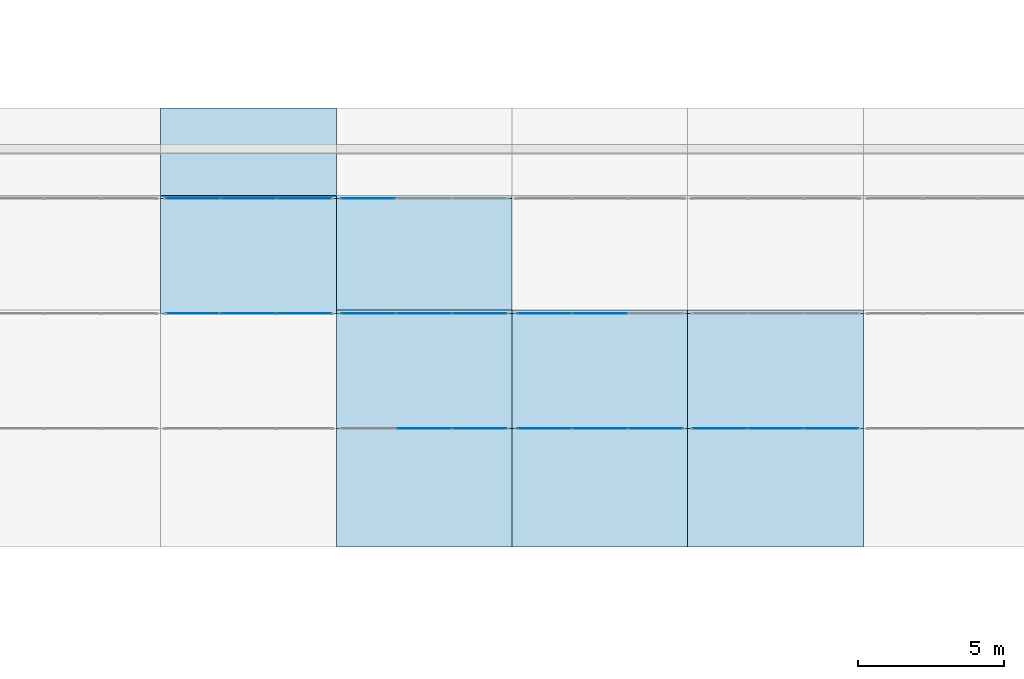
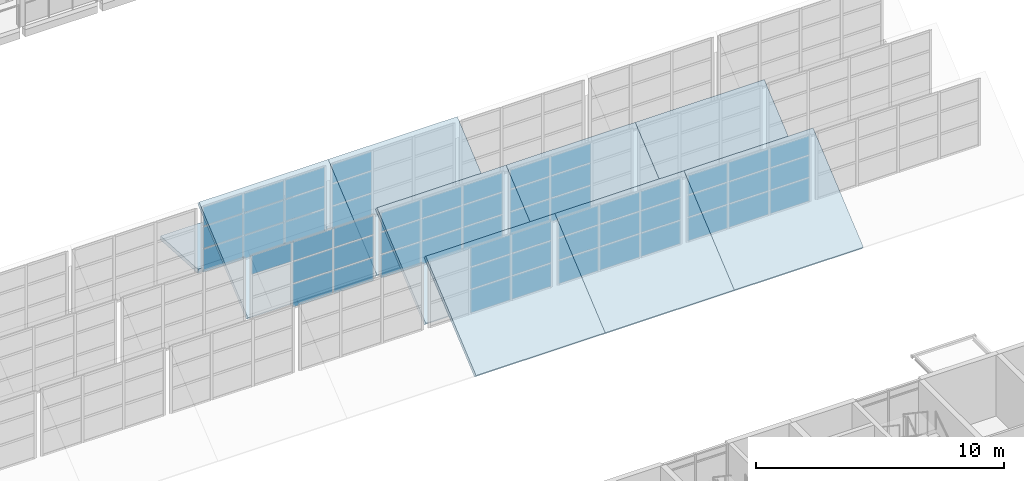
# One storey, part 49 of 122: 58 plates, 9 slabs, 8 elements without a shape of their own.
"""IFC4 building model written with IfcOpenShell, lengths in metres."""

from ifc_helpers import new_model, si_unit, direction, frame, origin, origin_2d, place, context, subcontext, project, spatial, polyline, rectangle, outline, extrude, material, layer, layer_set, type_object, element, aggregate, save


model = new_model("IFC4")

# Units and contexts
model_context = context("Model", 3, precision=1e-05, world=origin(), true_north=direction((0.0, 1.0)))
body_context = subcontext(model_context, "Body", "Model", "MODEL_VIEW")
ifc_project = project(units=[si_unit("LENGTHUNIT", "METRE"), si_unit("AREAUNIT", "SQUARE_METRE"), si_unit("VOLUMEUNIT", "CUBIC_METRE"), si_unit("PLANEANGLEUNIT", "RADIAN"), si_unit("MASSUNIT", "GRAM", prefix="KILO")], contexts=[model_context])

# Site, building, storey
site_placement = place(None, origin())
site = spatial("IfcSite", under=ifc_project, at=site_placement, CompositionType="ELEMENT")
building_placement = place(site_placement, origin())
building = spatial("IfcBuilding", under=site, at=building_placement, Name="Ridgestep Commons", CompositionType="ELEMENT")
storey_placement = place(building_placement, frame((0.0, 0.0, 3.0)))
storey = spatial("IfcBuildingStorey", under=building, at=storey_placement, Name="L01", CompositionType="ELEMENT", Elevation=3.0)

# Curtain wall, plates
ifc_material_1 = material(Name="Aluminium and glass", Category="aluminium")
ifc_layer_1 = layer(ifc_material_1, 0.14990234375)
ifc_layer_set_1 = layer_set([ifc_layer_1], Name="Shop clerestory curtain wall")
curtain_wall_type = type_object("IfcCurtainWallType", Name="Shop clerestory curtain wall", PredefinedType="NOTDEFINED", material=ifc_layer_set_1)
curtain_wall_1_placement = place(storey_placement, origin())
curtain_wall_1 = element("IfcCurtainWall", 1, at=curtain_wall_1_placement, inside=storey, type_object=curtain_wall_type, Name="Shop clerestory curtain wall", PredefinedType="NOTDEFINED")
ifc_material_2 = material(Name="Glass", Category="glass")
ifc_layer_2 = layer(ifc_material_2, 0.011962890625)
ifc_layer_set_2 = layer_set([ifc_layer_2], Name="Community glass panel 12")
plate_type = type_object("IfcPlateType", Name="Community glass panel 12", PredefinedType="CURTAIN_PANEL", material=ifc_layer_set_2)
plate_1_placement = place(storey_placement, frame((200.895751953125, 41.97509765625, 3.52490234375), z_axis=(0.0, 0.0, 1.0), x_axis=(1.0, 0.0, 0.0)))
plate_1 = element("IfcPlate", 2, at=plate_1_placement, type_object=plate_type, Name="CW5 panel 1.3", PredefinedType="CURTAIN_PANEL", context=body_context, shape_type="SweptSolid", body=[
    extrude(rectangle(XDim=1.841552734375, YDim=0.011962890625, at=origin_2d()), origin(), (0.0, 0.0, 1.0), 0.925048828125),
])
plate_2_placement = place(storey_placement, frame((202.800048828125, 41.97509765625, 1.25), z_axis=(0.0, 0.0, 1.0), x_axis=(1.0, 0.0, 0.0)))
plate_2 = element("IfcPlate", 3, at=plate_2_placement, type_object=plate_type, Name="CW5 panel 2.1", PredefinedType="CURTAIN_PANEL", context=body_context, shape_type="SweptSolid", body=[
    extrude(rectangle(XDim=1.86669921875, YDim=0.011962890625, at=origin_2d()), origin(), (0.0, 0.0, 1.0), 1.125),
])
plate_3_placement = place(storey_placement, frame((202.800048828125, 41.97509765625, 2.4248046875), z_axis=(0.0, 0.0, 1.0), x_axis=(1.0, 0.0, 0.0)))
plate_3 = element("IfcPlate", 4, at=plate_3_placement, type_object=plate_type, Name="CW5 panel 2.2", PredefinedType="CURTAIN_PANEL", context=body_context, shape_type="SweptSolid", body=[
    extrude(rectangle(XDim=1.86669921875, YDim=0.011962890625, at=origin_2d()), origin(), (0.0, 0.0, 1.0), 1.050048828125),
])
plate_4_placement = place(storey_placement, frame((202.800048828125, 41.97509765625, 3.52490234375), z_axis=(0.0, 0.0, 1.0), x_axis=(1.0, 0.0, 0.0)))
plate_4 = element("IfcPlate", 5, at=plate_4_placement, type_object=plate_type, Name="CW5 panel 2.3", PredefinedType="CURTAIN_PANEL", context=body_context, shape_type="SweptSolid", body=[
    extrude(rectangle(XDim=1.86669921875, YDim=0.011962890625, at=origin_2d()), origin(), (0.0, 0.0, 1.0), 0.925048828125),
])
plate_5_placement = place(storey_placement, frame((204.7041015625, 41.97509765625, 1.25), z_axis=(0.0, 0.0, 1.0), x_axis=(1.0, 0.0, 0.0)))
plate_5 = element("IfcPlate", 6, at=plate_5_placement, type_object=plate_type, Name="CW5 panel 3.1", PredefinedType="CURTAIN_PANEL", context=body_context, shape_type="SweptSolid", body=[
    extrude(rectangle(XDim=1.841552734375, YDim=0.011962890625, at=origin_2d()), origin(), (0.0, 0.0, 1.0), 1.125),
])
plate_6_placement = place(storey_placement, frame((204.7041015625, 41.97509765625, 2.4248046875), z_axis=(0.0, 0.0, 1.0), x_axis=(1.0, 0.0, 0.0)))
plate_6 = element("IfcPlate", 7, at=plate_6_placement, type_object=plate_type, Name="CW5 panel 3.2", PredefinedType="CURTAIN_PANEL", context=body_context, shape_type="SweptSolid", body=[
    extrude(rectangle(XDim=1.841552734375, YDim=0.011962890625, at=origin_2d()), origin(), (0.0, 0.0, 1.0), 1.050048828125),
])
plate_7_placement = place(storey_placement, frame((204.7041015625, 41.97509765625, 3.52490234375), z_axis=(0.0, 0.0, 1.0), x_axis=(1.0, 0.0, 0.0)))
plate_7 = element("IfcPlate", 8, at=plate_7_placement, type_object=plate_type, Name="CW5 panel 3.3", PredefinedType="CURTAIN_PANEL", context=body_context, shape_type="SweptSolid", body=[
    extrude(rectangle(XDim=1.841552734375, YDim=0.011962890625, at=origin_2d()), origin(), (0.0, 0.0, 1.0), 0.925048828125),
])
aggregate(curtain_wall_1, [plate_1, plate_2, plate_3, plate_4, plate_5, plate_6, plate_7])

curtain_wall_2_placement = place(storey_placement, origin())
curtain_wall_2 = element("IfcCurtainWall", 9, at=curtain_wall_2_placement, inside=storey, type_object=curtain_wall_type, Name="Shop clerestory curtain wall", PredefinedType="NOTDEFINED")
plate_8_placement = place(storey_placement, frame((200.895751953125, 45.89990234375, 1.25), z_axis=(0.0, 0.0, 1.0), x_axis=(1.0, 0.0, 0.0)))
plate_8 = element("IfcPlate", 10, at=plate_8_placement, type_object=plate_type, Name="CW5 panel 1.1", PredefinedType="CURTAIN_PANEL", context=body_context, shape_type="SweptSolid", body=[
    extrude(rectangle(XDim=1.841552734375, YDim=0.011962890625, at=origin_2d()), origin(), (0.0, 0.0, 1.0), 1.125),
])
plate_9_placement = place(storey_placement, frame((200.895751953125, 45.89990234375, 2.4248046875), z_axis=(0.0, 0.0, 1.0), x_axis=(1.0, 0.0, 0.0)))
plate_9 = element("IfcPlate", 11, at=plate_9_placement, type_object=plate_type, Name="CW5 panel 1.2", PredefinedType="CURTAIN_PANEL", context=body_context, shape_type="SweptSolid", body=[
    extrude(rectangle(XDim=1.841552734375, YDim=0.011962890625, at=origin_2d()), origin(), (0.0, 0.0, 1.0), 1.050048828125),
])
plate_10_placement = place(storey_placement, frame((200.895751953125, 45.89990234375, 3.52490234375), z_axis=(0.0, 0.0, 1.0), x_axis=(1.0, 0.0, 0.0)))
plate_10 = element("IfcPlate", 12, at=plate_10_placement, type_object=plate_type, Name="CW5 panel 1.3", PredefinedType="CURTAIN_PANEL", context=body_context, shape_type="SweptSolid", body=[
    extrude(rectangle(XDim=1.841552734375, YDim=0.011962890625, at=origin_2d()), origin(), (0.0, 0.0, 1.0), 0.925048828125),
])
plate_11_placement = place(storey_placement, frame((202.800048828125, 45.89990234375, 1.25), z_axis=(0.0, 0.0, 1.0), x_axis=(1.0, 0.0, 0.0)))
plate_11 = element("IfcPlate", 13, at=plate_11_placement, type_object=plate_type, Name="CW5 panel 2.1", PredefinedType="CURTAIN_PANEL", context=body_context, shape_type="SweptSolid", body=[
    extrude(rectangle(XDim=1.86669921875, YDim=0.011962890625, at=origin_2d()), origin(), (0.0, 0.0, 1.0), 1.125),
])
plate_12_placement = place(storey_placement, frame((202.800048828125, 45.89990234375, 2.4248046875), z_axis=(0.0, 0.0, 1.0), x_axis=(1.0, 0.0, 0.0)))
plate_12 = element("IfcPlate", 14, at=plate_12_placement, type_object=plate_type, Name="CW5 panel 2.2", PredefinedType="CURTAIN_PANEL", context=body_context, shape_type="SweptSolid", body=[
    extrude(rectangle(XDim=1.86669921875, YDim=0.011962890625, at=origin_2d()), origin(), (0.0, 0.0, 1.0), 1.050048828125),
])
plate_13_placement = place(storey_placement, frame((202.800048828125, 45.89990234375, 3.52490234375), z_axis=(0.0, 0.0, 1.0), x_axis=(1.0, 0.0, 0.0)))
plate_13 = element("IfcPlate", 15, at=plate_13_placement, type_object=plate_type, Name="CW5 panel 2.3", PredefinedType="CURTAIN_PANEL", context=body_context, shape_type="SweptSolid", body=[
    extrude(rectangle(XDim=1.86669921875, YDim=0.011962890625, at=origin_2d()), origin(), (0.0, 0.0, 1.0), 0.925048828125),
])
plate_14_placement = place(storey_placement, frame((204.7041015625, 45.89990234375, 1.25), z_axis=(0.0, 0.0, 1.0), x_axis=(1.0, 0.0, 0.0)))
plate_14 = element("IfcPlate", 16, at=plate_14_placement, type_object=plate_type, Name="CW5 panel 3.1", PredefinedType="CURTAIN_PANEL", context=body_context, shape_type="SweptSolid", body=[
    extrude(rectangle(XDim=1.841552734375, YDim=0.011962890625, at=origin_2d()), origin(), (0.0, 0.0, 1.0), 1.125),
])
plate_15_placement = place(storey_placement, frame((204.7041015625, 45.89990234375, 2.4248046875), z_axis=(0.0, 0.0, 1.0), x_axis=(1.0, 0.0, 0.0)))
plate_15 = element("IfcPlate", 17, at=plate_15_placement, type_object=plate_type, Name="CW5 panel 3.2", PredefinedType="CURTAIN_PANEL", context=body_context, shape_type="SweptSolid", body=[
    extrude(rectangle(XDim=1.841552734375, YDim=0.011962890625, at=origin_2d()), origin(), (0.0, 0.0, 1.0), 1.050048828125),
])
plate_16_placement = place(storey_placement, frame((204.7041015625, 45.89990234375, 3.52490234375), z_axis=(0.0, 0.0, 1.0), x_axis=(1.0, 0.0, 0.0)))
plate_16 = element("IfcPlate", 18, at=plate_16_placement, type_object=plate_type, Name="CW5 panel 3.3", PredefinedType="CURTAIN_PANEL", context=body_context, shape_type="SweptSolid", body=[
    extrude(rectangle(XDim=1.841552734375, YDim=0.011962890625, at=origin_2d()), origin(), (0.0, 0.0, 1.0), 0.925048828125),
])
aggregate(curtain_wall_2, [plate_8, plate_9, plate_10, plate_11, plate_12, plate_13, plate_14, plate_15, plate_16])

curtain_wall_3_placement = place(storey_placement, origin())
curtain_wall_3 = element("IfcCurtainWall", 19, at=curtain_wall_3_placement, inside=storey, type_object=curtain_wall_type, Name="Shop clerestory curtain wall", PredefinedType="NOTDEFINED")
plate_17_placement = place(storey_placement, frame((208.800048828125, 38.050048828125, 1.25), z_axis=(0.0, 0.0, 1.0), x_axis=(1.0, 0.0, 0.0)))
plate_17 = element("IfcPlate", 20, at=plate_17_placement, type_object=plate_type, Name="CW5 panel 2.1", PredefinedType="CURTAIN_PANEL", context=body_context, shape_type="SweptSolid", body=[
    extrude(rectangle(XDim=1.86669921875, YDim=0.011962890625, at=origin_2d()), origin(), (0.0, 0.0, 1.0), 1.125),
])
plate_18_placement = place(storey_placement, frame((208.800048828125, 38.050048828125, 2.4248046875), z_axis=(0.0, 0.0, 1.0), x_axis=(1.0, 0.0, 0.0)))
plate_18 = element("IfcPlate", 21, at=plate_18_placement, type_object=plate_type, Name="CW5 panel 2.2", PredefinedType="CURTAIN_PANEL", context=body_context, shape_type="SweptSolid", body=[
    extrude(rectangle(XDim=1.86669921875, YDim=0.011962890625, at=origin_2d()), origin(), (0.0, 0.0, 1.0), 1.050048828125),
])
plate_19_placement = place(storey_placement, frame((208.800048828125, 38.050048828125, 3.52490234375), z_axis=(0.0, 0.0, 1.0), x_axis=(1.0, 0.0, 0.0)))
plate_19 = element("IfcPlate", 22, at=plate_19_placement, type_object=plate_type, Name="CW5 panel 2.3", PredefinedType="CURTAIN_PANEL", context=body_context, shape_type="SweptSolid", body=[
    extrude(rectangle(XDim=1.86669921875, YDim=0.011962890625, at=origin_2d()), origin(), (0.0, 0.0, 1.0), 0.925048828125),
])
plate_20_placement = place(storey_placement, frame((210.7041015625, 38.050048828125, 1.25), z_axis=(0.0, 0.0, 1.0), x_axis=(1.0, 0.0, 0.0)))
plate_20 = element("IfcPlate", 23, at=plate_20_placement, type_object=plate_type, Name="CW5 panel 3.1", PredefinedType="CURTAIN_PANEL", context=body_context, shape_type="SweptSolid", body=[
    extrude(rectangle(XDim=1.841552734375, YDim=0.011962890625, at=origin_2d()), origin(), (0.0, 0.0, 1.0), 1.125),
])
plate_21_placement = place(storey_placement, frame((210.7041015625, 38.050048828125, 2.4248046875), z_axis=(0.0, 0.0, 1.0), x_axis=(1.0, 0.0, 0.0)))
plate_21 = element("IfcPlate", 24, at=plate_21_placement, type_object=plate_type, Name="CW5 panel 3.2", PredefinedType="CURTAIN_PANEL", context=body_context, shape_type="SweptSolid", body=[
    extrude(rectangle(XDim=1.841552734375, YDim=0.011962890625, at=origin_2d()), origin(), (0.0, 0.0, 1.0), 1.050048828125),
])
plate_22_placement = place(storey_placement, frame((210.7041015625, 38.050048828125, 3.52490234375), z_axis=(0.0, 0.0, 1.0), x_axis=(1.0, 0.0, 0.0)))
plate_22 = element("IfcPlate", 25, at=plate_22_placement, type_object=plate_type, Name="CW5 panel 3.3", PredefinedType="CURTAIN_PANEL", context=body_context, shape_type="SweptSolid", body=[
    extrude(rectangle(XDim=1.841552734375, YDim=0.011962890625, at=origin_2d()), origin(), (0.0, 0.0, 1.0), 0.925048828125),
])
aggregate(curtain_wall_3, [plate_17, plate_18, plate_19, plate_20, plate_21, plate_22])

curtain_wall_4_placement = place(storey_placement, origin())
curtain_wall_4 = element("IfcCurtainWall", 26, at=curtain_wall_4_placement, inside=storey, type_object=curtain_wall_type, Name="Shop clerestory curtain wall", PredefinedType="NOTDEFINED")
plate_23_placement = place(storey_placement, frame((206.895751953125, 41.97509765625, 1.25), z_axis=(0.0, 0.0, 1.0), x_axis=(1.0, 0.0, 0.0)))
plate_23 = element("IfcPlate", 27, at=plate_23_placement, type_object=plate_type, Name="CW5 panel 1.1", PredefinedType="CURTAIN_PANEL", context=body_context, shape_type="SweptSolid", body=[
    extrude(rectangle(XDim=1.841552734375, YDim=0.011962890625, at=origin_2d()), origin(), (0.0, 0.0, 1.0), 1.125),
])
plate_24_placement = place(storey_placement, frame((206.895751953125, 41.97509765625, 2.4248046875), z_axis=(0.0, 0.0, 1.0), x_axis=(1.0, 0.0, 0.0)))
plate_24 = element("IfcPlate", 28, at=plate_24_placement, type_object=plate_type, Name="CW5 panel 1.2", PredefinedType="CURTAIN_PANEL", context=body_context, shape_type="SweptSolid", body=[
    extrude(rectangle(XDim=1.841552734375, YDim=0.011962890625, at=origin_2d()), origin(), (0.0, 0.0, 1.0), 1.050048828125),
])
plate_25_placement = place(storey_placement, frame((206.895751953125, 41.97509765625, 3.52490234375), z_axis=(0.0, 0.0, 1.0), x_axis=(1.0, 0.0, 0.0)))
plate_25 = element("IfcPlate", 29, at=plate_25_placement, type_object=plate_type, Name="CW5 panel 1.3", PredefinedType="CURTAIN_PANEL", context=body_context, shape_type="SweptSolid", body=[
    extrude(rectangle(XDim=1.841552734375, YDim=0.011962890625, at=origin_2d()), origin(), (0.0, 0.0, 1.0), 0.925048828125),
])
plate_26_placement = place(storey_placement, frame((208.800048828125, 41.97509765625, 1.25), z_axis=(0.0, 0.0, 1.0), x_axis=(1.0, 0.0, 0.0)))
plate_26 = element("IfcPlate", 30, at=plate_26_placement, type_object=plate_type, Name="CW5 panel 2.1", PredefinedType="CURTAIN_PANEL", context=body_context, shape_type="SweptSolid", body=[
    extrude(rectangle(XDim=1.86669921875, YDim=0.011962890625, at=origin_2d()), origin(), (0.0, 0.0, 1.0), 1.125),
])
plate_27_placement = place(storey_placement, frame((208.800048828125, 41.97509765625, 2.4248046875), z_axis=(0.0, 0.0, 1.0), x_axis=(1.0, 0.0, 0.0)))
plate_27 = element("IfcPlate", 31, at=plate_27_placement, type_object=plate_type, Name="CW5 panel 2.2", PredefinedType="CURTAIN_PANEL", context=body_context, shape_type="SweptSolid", body=[
    extrude(rectangle(XDim=1.86669921875, YDim=0.011962890625, at=origin_2d()), origin(), (0.0, 0.0, 1.0), 1.050048828125),
])
plate_28_placement = place(storey_placement, frame((208.800048828125, 41.97509765625, 3.52490234375), z_axis=(0.0, 0.0, 1.0), x_axis=(1.0, 0.0, 0.0)))
plate_28 = element("IfcPlate", 32, at=plate_28_placement, type_object=plate_type, Name="CW5 panel 2.3", PredefinedType="CURTAIN_PANEL", context=body_context, shape_type="SweptSolid", body=[
    extrude(rectangle(XDim=1.86669921875, YDim=0.011962890625, at=origin_2d()), origin(), (0.0, 0.0, 1.0), 0.925048828125),
])
plate_29_placement = place(storey_placement, frame((210.7041015625, 41.97509765625, 1.25), z_axis=(0.0, 0.0, 1.0), x_axis=(1.0, 0.0, 0.0)))
plate_29 = element("IfcPlate", 33, at=plate_29_placement, type_object=plate_type, Name="CW5 panel 3.1", PredefinedType="CURTAIN_PANEL", context=body_context, shape_type="SweptSolid", body=[
    extrude(rectangle(XDim=1.841552734375, YDim=0.011962890625, at=origin_2d()), origin(), (0.0, 0.0, 1.0), 1.125),
])
plate_30_placement = place(storey_placement, frame((210.7041015625, 41.97509765625, 2.4248046875), z_axis=(0.0, 0.0, 1.0), x_axis=(1.0, 0.0, 0.0)))
plate_30 = element("IfcPlate", 34, at=plate_30_placement, type_object=plate_type, Name="CW5 panel 3.2", PredefinedType="CURTAIN_PANEL", context=body_context, shape_type="SweptSolid", body=[
    extrude(rectangle(XDim=1.841552734375, YDim=0.011962890625, at=origin_2d()), origin(), (0.0, 0.0, 1.0), 1.050048828125),
])
plate_31_placement = place(storey_placement, frame((210.7041015625, 41.97509765625, 3.52490234375), z_axis=(0.0, 0.0, 1.0), x_axis=(1.0, 0.0, 0.0)))
plate_31 = element("IfcPlate", 35, at=plate_31_placement, type_object=plate_type, Name="CW5 panel 3.3", PredefinedType="CURTAIN_PANEL", context=body_context, shape_type="SweptSolid", body=[
    extrude(rectangle(XDim=1.841552734375, YDim=0.011962890625, at=origin_2d()), origin(), (0.0, 0.0, 1.0), 0.925048828125),
])
aggregate(curtain_wall_4, [plate_23, plate_24, plate_25, plate_26, plate_27, plate_28, plate_29, plate_30, plate_31])

curtain_wall_5_placement = place(storey_placement, origin())
curtain_wall_5 = element("IfcCurtainWall", 36, at=curtain_wall_5_placement, inside=storey, type_object=curtain_wall_type, Name="Shop clerestory curtain wall", PredefinedType="NOTDEFINED")
plate_32_placement = place(storey_placement, frame((206.895751953125, 45.89990234375, 1.25), z_axis=(0.0, 0.0, 1.0), x_axis=(1.0, 0.0, 0.0)))
plate_32 = element("IfcPlate", 37, at=plate_32_placement, type_object=plate_type, Name="CW5 panel 1.1", PredefinedType="CURTAIN_PANEL", context=body_context, shape_type="SweptSolid", body=[
    extrude(rectangle(XDim=1.841552734375, YDim=0.011962890625, at=origin_2d()), origin(), (0.0, 0.0, 1.0), 1.125),
])
plate_33_placement = place(storey_placement, frame((206.895751953125, 45.89990234375, 2.4248046875), z_axis=(0.0, 0.0, 1.0), x_axis=(1.0, 0.0, 0.0)))
plate_33 = element("IfcPlate", 38, at=plate_33_placement, type_object=plate_type, Name="CW5 panel 1.2", PredefinedType="CURTAIN_PANEL", context=body_context, shape_type="SweptSolid", body=[
    extrude(rectangle(XDim=1.841552734375, YDim=0.011962890625, at=origin_2d()), origin(), (0.0, 0.0, 1.0), 1.050048828125),
])
plate_34_placement = place(storey_placement, frame((206.895751953125, 45.89990234375, 3.52490234375), z_axis=(0.0, 0.0, 1.0), x_axis=(1.0, 0.0, 0.0)))
plate_34 = element("IfcPlate", 39, at=plate_34_placement, type_object=plate_type, Name="CW5 panel 1.3", PredefinedType="CURTAIN_PANEL", context=body_context, shape_type="SweptSolid", body=[
    extrude(rectangle(XDim=1.841552734375, YDim=0.011962890625, at=origin_2d()), origin(), (0.0, 0.0, 1.0), 0.925048828125),
])
aggregate(curtain_wall_5, [plate_32, plate_33, plate_34])

curtain_wall_6_placement = place(storey_placement, origin())
curtain_wall_6 = element("IfcCurtainWall", 40, at=curtain_wall_6_placement, inside=storey, type_object=curtain_wall_type, Name="Shop clerestory curtain wall", PredefinedType="NOTDEFINED")
plate_35_placement = place(storey_placement, frame((212.895751953125, 38.050048828125, 1.25), z_axis=(0.0, 0.0, 1.0), x_axis=(1.0, 0.0, 0.0)))
plate_35 = element("IfcPlate", 41, at=plate_35_placement, type_object=plate_type, Name="CW5 panel 1.1", PredefinedType="CURTAIN_PANEL", context=body_context, shape_type="SweptSolid", body=[
    extrude(rectangle(XDim=1.841552734375, YDim=0.011962890625, at=origin_2d()), origin(), (0.0, 0.0, 1.0), 1.125),
])
plate_36_placement = place(storey_placement, frame((212.895751953125, 38.050048828125, 2.4248046875), z_axis=(0.0, 0.0, 1.0), x_axis=(1.0, 0.0, 0.0)))
plate_36 = element("IfcPlate", 42, at=plate_36_placement, type_object=plate_type, Name="CW5 panel 1.2", PredefinedType="CURTAIN_PANEL", context=body_context, shape_type="SweptSolid", body=[
    extrude(rectangle(XDim=1.841552734375, YDim=0.011962890625, at=origin_2d()), origin(), (0.0, 0.0, 1.0), 1.050048828125),
])
plate_37_placement = place(storey_placement, frame((212.895751953125, 38.050048828125, 3.52490234375), z_axis=(0.0, 0.0, 1.0), x_axis=(1.0, 0.0, 0.0)))
plate_37 = element("IfcPlate", 43, at=plate_37_placement, type_object=plate_type, Name="CW5 panel 1.3", PredefinedType="CURTAIN_PANEL", context=body_context, shape_type="SweptSolid", body=[
    extrude(rectangle(XDim=1.841552734375, YDim=0.011962890625, at=origin_2d()), origin(), (0.0, 0.0, 1.0), 0.925048828125),
])
plate_38_placement = place(storey_placement, frame((214.800048828125, 38.050048828125, 1.25), z_axis=(0.0, 0.0, 1.0), x_axis=(1.0, 0.0, 0.0)))
plate_38 = element("IfcPlate", 44, at=plate_38_placement, type_object=plate_type, Name="CW5 panel 2.1", PredefinedType="CURTAIN_PANEL", context=body_context, shape_type="SweptSolid", body=[
    extrude(rectangle(XDim=1.86669921875, YDim=0.011962890625, at=origin_2d()), origin(), (0.0, 0.0, 1.0), 1.125),
])
plate_39_placement = place(storey_placement, frame((214.800048828125, 38.050048828125, 2.4248046875), z_axis=(0.0, 0.0, 1.0), x_axis=(1.0, 0.0, 0.0)))
plate_39 = element("IfcPlate", 45, at=plate_39_placement, type_object=plate_type, Name="CW5 panel 2.2", PredefinedType="CURTAIN_PANEL", context=body_context, shape_type="SweptSolid", body=[
    extrude(rectangle(XDim=1.86669921875, YDim=0.011962890625, at=origin_2d()), origin(), (0.0, 0.0, 1.0), 1.050048828125),
])
plate_40_placement = place(storey_placement, frame((214.800048828125, 38.050048828125, 3.52490234375), z_axis=(0.0, 0.0, 1.0), x_axis=(1.0, 0.0, 0.0)))
plate_40 = element("IfcPlate", 46, at=plate_40_placement, type_object=plate_type, Name="CW5 panel 2.3", PredefinedType="CURTAIN_PANEL", context=body_context, shape_type="SweptSolid", body=[
    extrude(rectangle(XDim=1.86669921875, YDim=0.011962890625, at=origin_2d()), origin(), (0.0, 0.0, 1.0), 0.925048828125),
])
plate_41_placement = place(storey_placement, frame((216.7041015625, 38.050048828125, 1.25), z_axis=(0.0, 0.0, 1.0), x_axis=(1.0, 0.0, 0.0)))
plate_41 = element("IfcPlate", 47, at=plate_41_placement, type_object=plate_type, Name="CW5 panel 3.1", PredefinedType="CURTAIN_PANEL", context=body_context, shape_type="SweptSolid", body=[
    extrude(rectangle(XDim=1.841552734375, YDim=0.011962890625, at=origin_2d()), origin(), (0.0, 0.0, 1.0), 1.125),
])
plate_42_placement = place(storey_placement, frame((216.7041015625, 38.050048828125, 2.4248046875), z_axis=(0.0, 0.0, 1.0), x_axis=(1.0, 0.0, 0.0)))
plate_42 = element("IfcPlate", 48, at=plate_42_placement, type_object=plate_type, Name="CW5 panel 3.2", PredefinedType="CURTAIN_PANEL", context=body_context, shape_type="SweptSolid", body=[
    extrude(rectangle(XDim=1.841552734375, YDim=0.011962890625, at=origin_2d()), origin(), (0.0, 0.0, 1.0), 1.050048828125),
])
plate_43_placement = place(storey_placement, frame((216.7041015625, 38.050048828125, 3.52490234375), z_axis=(0.0, 0.0, 1.0), x_axis=(1.0, 0.0, 0.0)))
plate_43 = element("IfcPlate", 49, at=plate_43_placement, type_object=plate_type, Name="CW5 panel 3.3", PredefinedType="CURTAIN_PANEL", context=body_context, shape_type="SweptSolid", body=[
    extrude(rectangle(XDim=1.841552734375, YDim=0.011962890625, at=origin_2d()), origin(), (0.0, 0.0, 1.0), 0.925048828125),
])
aggregate(curtain_wall_6, [plate_35, plate_36, plate_37, plate_38, plate_39, plate_40, plate_41, plate_42, plate_43])

curtain_wall_7_placement = place(storey_placement, origin())
curtain_wall_7 = element("IfcCurtainWall", 50, at=curtain_wall_7_placement, inside=storey, type_object=curtain_wall_type, Name="Shop clerestory curtain wall", PredefinedType="NOTDEFINED")
plate_44_placement = place(storey_placement, frame((212.895751953125, 41.97509765625, 1.25), z_axis=(0.0, 0.0, 1.0), x_axis=(1.0, 0.0, 0.0)))
plate_44 = element("IfcPlate", 51, at=plate_44_placement, type_object=plate_type, Name="CW5 panel 1.1", PredefinedType="CURTAIN_PANEL", context=body_context, shape_type="SweptSolid", body=[
    extrude(rectangle(XDim=1.841552734375, YDim=0.011962890625, at=origin_2d()), origin(), (0.0, 0.0, 1.0), 1.125),
])
plate_45_placement = place(storey_placement, frame((212.895751953125, 41.97509765625, 2.4248046875), z_axis=(0.0, 0.0, 1.0), x_axis=(1.0, 0.0, 0.0)))
plate_45 = element("IfcPlate", 52, at=plate_45_placement, type_object=plate_type, Name="CW5 panel 1.2", PredefinedType="CURTAIN_PANEL", context=body_context, shape_type="SweptSolid", body=[
    extrude(rectangle(XDim=1.841552734375, YDim=0.011962890625, at=origin_2d()), origin(), (0.0, 0.0, 1.0), 1.050048828125),
])
plate_46_placement = place(storey_placement, frame((212.895751953125, 41.97509765625, 3.52490234375), z_axis=(0.0, 0.0, 1.0), x_axis=(1.0, 0.0, 0.0)))
plate_46 = element("IfcPlate", 53, at=plate_46_placement, type_object=plate_type, Name="CW5 panel 1.3", PredefinedType="CURTAIN_PANEL", context=body_context, shape_type="SweptSolid", body=[
    extrude(rectangle(XDim=1.841552734375, YDim=0.011962890625, at=origin_2d()), origin(), (0.0, 0.0, 1.0), 0.925048828125),
])
plate_47_placement = place(storey_placement, frame((214.800048828125, 41.97509765625, 1.25), z_axis=(0.0, 0.0, 1.0), x_axis=(1.0, 0.0, 0.0)))
plate_47 = element("IfcPlate", 54, at=plate_47_placement, type_object=plate_type, Name="CW5 panel 2.1", PredefinedType="CURTAIN_PANEL", context=body_context, shape_type="SweptSolid", body=[
    extrude(rectangle(XDim=1.86669921875, YDim=0.011962890625, at=origin_2d()), origin(), (0.0, 0.0, 1.0), 1.125),
])
plate_48_placement = place(storey_placement, frame((214.800048828125, 41.97509765625, 2.4248046875), z_axis=(0.0, 0.0, 1.0), x_axis=(1.0, 0.0, 0.0)))
plate_48 = element("IfcPlate", 55, at=plate_48_placement, type_object=plate_type, Name="CW5 panel 2.2", PredefinedType="CURTAIN_PANEL", context=body_context, shape_type="SweptSolid", body=[
    extrude(rectangle(XDim=1.86669921875, YDim=0.011962890625, at=origin_2d()), origin(), (0.0, 0.0, 1.0), 1.050048828125),
])
plate_49_placement = place(storey_placement, frame((214.800048828125, 41.97509765625, 3.52490234375), z_axis=(0.0, 0.0, 1.0), x_axis=(1.0, 0.0, 0.0)))
plate_49 = element("IfcPlate", 56, at=plate_49_placement, type_object=plate_type, Name="CW5 panel 2.3", PredefinedType="CURTAIN_PANEL", context=body_context, shape_type="SweptSolid", body=[
    extrude(rectangle(XDim=1.86669921875, YDim=0.011962890625, at=origin_2d()), origin(), (0.0, 0.0, 1.0), 0.925048828125),
])
aggregate(curtain_wall_7, [plate_44, plate_45, plate_46, plate_47, plate_48, plate_49])

curtain_wall_8_placement = place(storey_placement, origin())
curtain_wall_8 = element("IfcCurtainWall", 57, at=curtain_wall_8_placement, inside=storey, type_object=curtain_wall_type, Name="Shop clerestory curtain wall", PredefinedType="NOTDEFINED")
plate_50_placement = place(storey_placement, frame((218.895751953125, 38.050048828125, 1.25), z_axis=(0.0, 0.0, 1.0), x_axis=(1.0, 0.0, 0.0)))
plate_50 = element("IfcPlate", 58, at=plate_50_placement, type_object=plate_type, Name="CW5 panel 1.1", PredefinedType="CURTAIN_PANEL", context=body_context, shape_type="SweptSolid", body=[
    extrude(rectangle(XDim=1.841552734375, YDim=0.011962890625, at=origin_2d()), origin(), (0.0, 0.0, 1.0), 1.125),
])
plate_51_placement = place(storey_placement, frame((218.895751953125, 38.050048828125, 2.4248046875), z_axis=(0.0, 0.0, 1.0), x_axis=(1.0, 0.0, 0.0)))
plate_51 = element("IfcPlate", 59, at=plate_51_placement, type_object=plate_type, Name="CW5 panel 1.2", PredefinedType="CURTAIN_PANEL", context=body_context, shape_type="SweptSolid", body=[
    extrude(rectangle(XDim=1.841552734375, YDim=0.011962890625, at=origin_2d()), origin(), (0.0, 0.0, 1.0), 1.050048828125),
])
plate_52_placement = place(storey_placement, frame((218.895751953125, 38.050048828125, 3.52490234375), z_axis=(0.0, 0.0, 1.0), x_axis=(1.0, 0.0, 0.0)))
plate_52 = element("IfcPlate", 60, at=plate_52_placement, type_object=plate_type, Name="CW5 panel 1.3", PredefinedType="CURTAIN_PANEL", context=body_context, shape_type="SweptSolid", body=[
    extrude(rectangle(XDim=1.841552734375, YDim=0.011962890625, at=origin_2d()), origin(), (0.0, 0.0, 1.0), 0.925048828125),
])
plate_53_placement = place(storey_placement, frame((220.800048828125, 38.050048828125, 1.25), z_axis=(0.0, 0.0, 1.0), x_axis=(1.0, 0.0, 0.0)))
plate_53 = element("IfcPlate", 61, at=plate_53_placement, type_object=plate_type, Name="CW5 panel 2.1", PredefinedType="CURTAIN_PANEL", context=body_context, shape_type="SweptSolid", body=[
    extrude(rectangle(XDim=1.86669921875, YDim=0.011962890625, at=origin_2d()), origin(), (0.0, 0.0, 1.0), 1.125),
])
plate_54_placement = place(storey_placement, frame((220.800048828125, 38.050048828125, 2.4248046875), z_axis=(0.0, 0.0, 1.0), x_axis=(1.0, 0.0, 0.0)))
plate_54 = element("IfcPlate", 62, at=plate_54_placement, type_object=plate_type, Name="CW5 panel 2.2", PredefinedType="CURTAIN_PANEL", context=body_context, shape_type="SweptSolid", body=[
    extrude(rectangle(XDim=1.86669921875, YDim=0.011962890625, at=origin_2d()), origin(), (0.0, 0.0, 1.0), 1.050048828125),
])
plate_55_placement = place(storey_placement, frame((220.800048828125, 38.050048828125, 3.52490234375), z_axis=(0.0, 0.0, 1.0), x_axis=(1.0, 0.0, 0.0)))
plate_55 = element("IfcPlate", 63, at=plate_55_placement, type_object=plate_type, Name="CW5 panel 2.3", PredefinedType="CURTAIN_PANEL", context=body_context, shape_type="SweptSolid", body=[
    extrude(rectangle(XDim=1.86669921875, YDim=0.011962890625, at=origin_2d()), origin(), (0.0, 0.0, 1.0), 0.925048828125),
])
plate_56_placement = place(storey_placement, frame((222.7041015625, 38.050048828125, 1.25), z_axis=(0.0, 0.0, 1.0), x_axis=(1.0, 0.0, 0.0)))
plate_56 = element("IfcPlate", 64, at=plate_56_placement, type_object=plate_type, Name="CW5 panel 3.1", PredefinedType="CURTAIN_PANEL", context=body_context, shape_type="SweptSolid", body=[
    extrude(rectangle(XDim=1.841552734375, YDim=0.011962890625, at=origin_2d()), origin(), (0.0, 0.0, 1.0), 1.125),
])
plate_57_placement = place(storey_placement, frame((222.7041015625, 38.050048828125, 2.4248046875), z_axis=(0.0, 0.0, 1.0), x_axis=(1.0, 0.0, 0.0)))
plate_57 = element("IfcPlate", 65, at=plate_57_placement, type_object=plate_type, Name="CW5 panel 3.2", PredefinedType="CURTAIN_PANEL", context=body_context, shape_type="SweptSolid", body=[
    extrude(rectangle(XDim=1.841552734375, YDim=0.011962890625, at=origin_2d()), origin(), (0.0, 0.0, 1.0), 1.050048828125),
])
plate_58_placement = place(storey_placement, frame((222.7041015625, 38.050048828125, 3.52490234375), z_axis=(0.0, 0.0, 1.0), x_axis=(1.0, 0.0, 0.0)))
plate_58 = element("IfcPlate", 66, at=plate_58_placement, type_object=plate_type, Name="CW5 panel 3.3", PredefinedType="CURTAIN_PANEL", context=body_context, shape_type="SweptSolid", body=[
    extrude(rectangle(XDim=1.841552734375, YDim=0.011962890625, at=origin_2d()), origin(), (0.0, 0.0, 1.0), 0.925048828125),
])
aggregate(curtain_wall_8, [plate_50, plate_51, plate_52, plate_53, plate_54, plate_55, plate_56, plate_57, plate_58])

# Slabs
ifc_material_3 = material(Name="Precast concrete C50/60", Category="concrete")
ifc_layer_3 = layer(ifc_material_3, 0.199951171875)
ifc_layer_set_3 = layer_set([ifc_layer_3], Name="Shop roof plank 200")
slab_type_1 = type_object("IfcSlabType", Name="Shop roof plank 200", PredefinedType="ROOF", material=ifc_layer_set_3)
slab_1_placement = place(storey_placement, frame((199.800048828125, 46.0, 1.400390625), z_axis=(0.0, 0.059869626719, 0.998206205048), x_axis=(1.0, 0.0, 0.0)))
element("IfcSlab", 67, at=slab_1_placement, inside=storey, type_object=slab_type_1, Name="Shop arcade roof plank", PredefinedType="ROOF", context=body_context, shape_type="SweptSolid", body=[
    extrude(outline(polyline([(0.0, 0.0), (6.0, 0.0), (6.0, 3.0053910553034533), (0.0, 3.0053910553034533), (0.0, 0.0)])), origin(), (0.0, 0.0, -1.0), 0.199951171875),
])
ifc_material_4 = material(Name="Precast concrete C50/60", Category="concrete")
ifc_layer_4 = layer(ifc_material_4, 0.199951171875)
ifc_layer_set_4 = layer_set([ifc_layer_4], Name="Shop sawtooth plank 200")
slab_type_2 = type_object("IfcSlabType", Name="Shop sawtooth plank 200", PredefinedType="ROOF", material=ifc_layer_set_4)
slab_2_placement = place(storey_placement, frame((199.800048828125, 41.97509765625, 1.461181640625), z_axis=(0.0, -0.643559368289, 0.765396197722), x_axis=(1.0, 0.0, 0.0)))
element("IfcSlab", 68, at=slab_2_placement, inside=storey, type_object=slab_type_2, Name="Shop sawtooth roof plank", PredefinedType="ROOF", context=body_context, shape_type="SweptSolid", body=[
    extrude(outline(polyline([(0.0, 0.0), (6.0, 0.0), (6.0, 5.127807923765394), (0.0, 5.127807923765394), (0.0, 0.0)])), origin(), (0.0, 0.0, -1.0), 0.199951171875),
])
slab_3_placement = place(storey_placement, frame((205.800048828125, 34.0, 1.356201171875), z_axis=(0.0, -0.643523147953, 0.765426650992), x_axis=(1.0, 0.0, 0.0)))
element("IfcSlab", 69, at=slab_3_placement, inside=storey, type_object=slab_type_2, Name="Shop sawtooth roof plank", PredefinedType="ROOF", context=body_context, shape_type="SweptSolid", body=[
    extrude(outline(polyline([(0.0, 0.0), (6.0, 0.0), (6.0, 5.29123048286254), (0.0, 5.29123048286254), (0.0, 0.0)])), origin(), (0.0, 0.0, -1.0), 0.199951171875),
])
slab_4_placement = place(storey_placement, frame((205.800048828125, 38.050048828125, 1.461181640625), z_axis=(0.0, -0.643535916661, 0.765415915674), x_axis=(1.0, 0.0, 0.0)))
element("IfcSlab", 70, at=slab_4_placement, inside=storey, type_object=slab_type_2, Name="Shop sawtooth roof plank", PredefinedType="ROOF", context=body_context, shape_type="SweptSolid", body=[
    extrude(outline(polyline([(0.0, 0.0), (6.0, 0.0), (6.0, 5.1279947904785), (0.0, 5.1279947904785), (0.0, 0.0)])), origin(), (0.0, 0.0, -1.0), 0.199951171875),
])
slab_5_placement = place(storey_placement, frame((205.800048828125, 41.97509765625, 1.461181640625), z_axis=(0.0, -0.643559368289, 0.765396197722), x_axis=(1.0, 0.0, 0.0)))
element("IfcSlab", 71, at=slab_5_placement, inside=storey, type_object=slab_type_2, Name="Shop sawtooth roof plank", PredefinedType="ROOF", context=body_context, shape_type="SweptSolid", body=[
    extrude(outline(polyline([(0.0, 0.0), (6.0, 0.0), (6.0, 5.127807923765394), (0.0, 5.127807923765394), (0.0, 0.0)])), origin(), (0.0, 0.0, -1.0), 0.199951171875),
])
slab_6_placement = place(storey_placement, frame((211.800048828125, 34.0, 1.356201171875), z_axis=(0.0, -0.643523147953, 0.765426650992), x_axis=(1.0, 0.0, 0.0)))
element("IfcSlab", 72, at=slab_6_placement, inside=storey, type_object=slab_type_2, Name="Shop sawtooth roof plank", PredefinedType="ROOF", context=body_context, shape_type="SweptSolid", body=[
    extrude(outline(polyline([(0.0, 0.0), (6.0, 0.0), (6.0, 5.29123048286254), (0.0, 5.29123048286254), (0.0, 0.0)])), origin(), (0.0, 0.0, -1.0), 0.199951171875),
])
slab_7_placement = place(storey_placement, frame((211.800048828125, 38.050048828125, 1.461181640625), z_axis=(0.0, -0.643535916661, 0.765415915674), x_axis=(1.0, 0.0, 0.0)))
element("IfcSlab", 73, at=slab_7_placement, inside=storey, type_object=slab_type_2, Name="Shop sawtooth roof plank", PredefinedType="ROOF", context=body_context, shape_type="SweptSolid", body=[
    extrude(outline(polyline([(0.0, 0.0), (6.0, 0.0), (6.0, 5.1279947904785), (0.0, 5.1279947904785), (0.0, 0.0)])), origin(), (0.0, 0.0, -1.0), 0.199951171875),
])
slab_8_placement = place(storey_placement, frame((217.800048828125, 34.0, 1.356201171875), z_axis=(0.0, -0.643523147953, 0.765426650992), x_axis=(1.0, 0.0, 0.0)))
element("IfcSlab", 74, at=slab_8_placement, inside=storey, type_object=slab_type_2, Name="Shop sawtooth roof plank", PredefinedType="ROOF", context=body_context, shape_type="SweptSolid", body=[
    extrude(outline(polyline([(0.0, 0.0), (6.0, 0.0), (6.0, 5.29123048286254), (0.0, 5.29123048286254), (0.0, 0.0)])), origin(), (0.0, 0.0, -1.0), 0.199951171875),
])
slab_9_placement = place(storey_placement, frame((217.800048828125, 38.050048828125, 1.461181640625), z_axis=(0.0, -0.643535916661, 0.765415915674), x_axis=(1.0, 0.0, 0.0)))
element("IfcSlab", 75, at=slab_9_placement, inside=storey, type_object=slab_type_2, Name="Shop sawtooth roof plank", PredefinedType="ROOF", context=body_context, shape_type="SweptSolid", body=[
    extrude(outline(polyline([(0.0, 0.0), (6.0, 0.0), (6.0, 5.1279947904785), (0.0, 5.1279947904785), (0.0, 0.0)])), origin(), (0.0, 0.0, -1.0), 0.199951171875),
])

save(model, "model.ifc")
